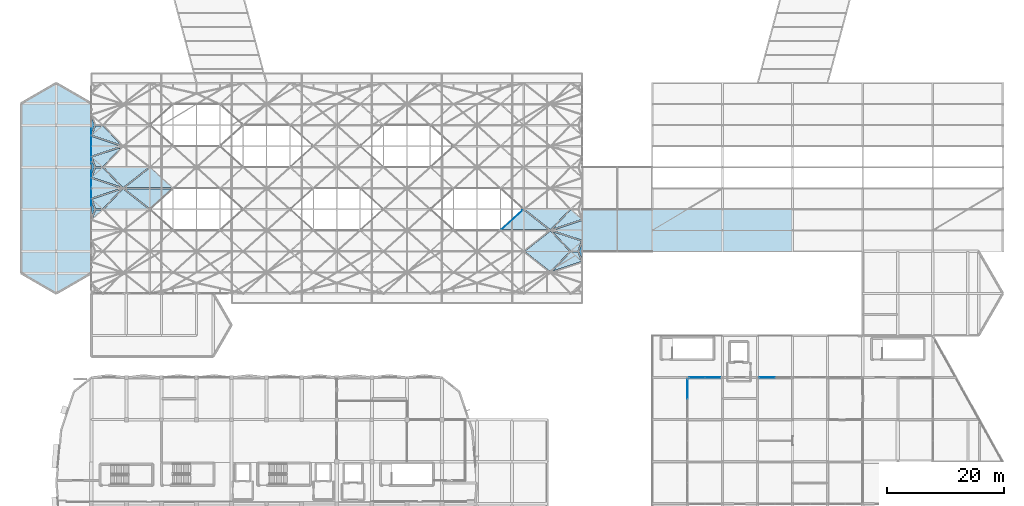
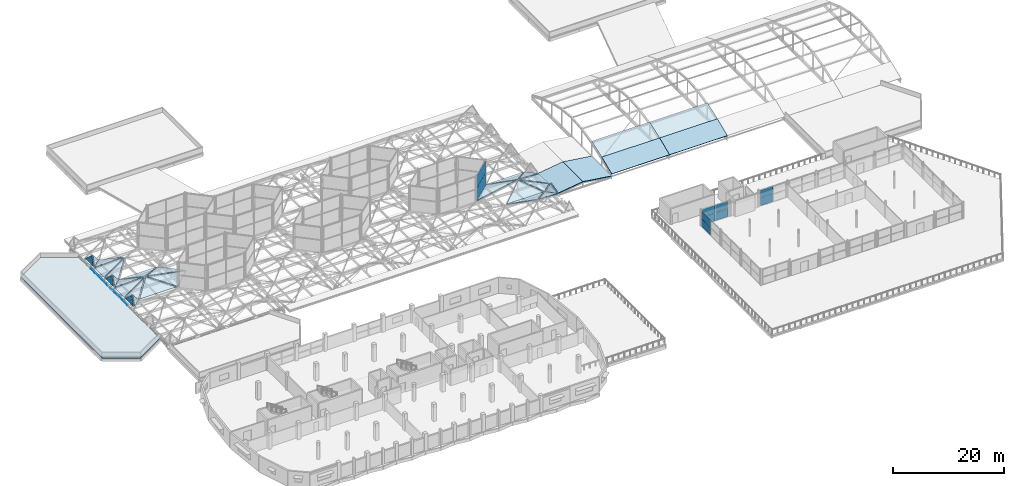
# One storey, part 212 of 239: 36 slabs, 18 plates, 6 elements without a shape of their own.
"""IFC4 building model written with IfcOpenShell, lengths in metres."""

from ifc_helpers import new_model, si_unit, direction, frame, origin, origin_2d, place, context, subcontext, project, spatial, polyline, rectangle, outline, extrude, material, layer, layer_set, type_object, element, aggregate, save


model = new_model("IFC4")

# Units and contexts
model_context = context("Model", 3, precision=1e-05, world=origin(), true_north=direction((0.0, 1.0)))
body_context = subcontext(model_context, "Body", "Model", "MODEL_VIEW")
ifc_project = project(units=[si_unit("LENGTHUNIT", "METRE"), si_unit("AREAUNIT", "SQUARE_METRE"), si_unit("VOLUMEUNIT", "CUBIC_METRE"), si_unit("PLANEANGLEUNIT", "RADIAN"), si_unit("MASSUNIT", "GRAM", prefix="KILO")], contexts=[model_context])

# Site, building, storey
site_placement = place(None, origin())
site = spatial("IfcSite", under=ifc_project, at=site_placement, CompositionType="ELEMENT")
building_placement = place(site_placement, origin())
building = spatial("IfcBuilding", under=site, at=building_placement, Name="Dunvalen Ferry Terminal", CompositionType="ELEMENT")
storey_placement = place(building_placement, frame((0.0, 0.0, 9.840087890625)))
storey = spatial("IfcBuildingStorey", under=building, at=storey_placement, Name="L02", CompositionType="ELEMENT", Elevation=9.840087890625)

# Curtain wall, plates
ifc_material_1 = material(Name="Anodised marine aluminium and solar-control glazing", Category="aluminium")
ifc_layer_1 = layer(ifc_material_1, 0.219970703125, Name="Anodised marine aluminium and solar-control glazing")
ifc_layer_set_1 = layer_set([ifc_layer_1], Name="Anodised marine aluminium and solar-control glazing")
curtain_wall_type_1 = type_object("IfcCurtainWallType", Name="ENV-CW-SYS-04", PredefinedType="NOTDEFINED", material=ifc_layer_set_1)
curtain_wall_1_placement = place(storey_placement, origin())
curtain_wall_1 = element("IfcCurtainWall", 1, at=curtain_wall_1_placement, inside=storey, type_object=curtain_wall_type_1, Name="L02 Curtain Wall CW-V1W-CLR-03", PredefinedType="NOTDEFINED")
ifc_material_2 = material(Name="Low-E solar-control laminated double glazing", Category="glass")
ifc_layer_2 = layer(ifc_material_2, 0.031982421875, Name="Low-E solar-control laminated double glazing")
ifc_layer_set_2 = layer_set([ifc_layer_2], Name="Low-E solar-control laminated double glazing")
plate_type_1 = type_object("IfcPlateType", Name="ENV-CW-PNL-2", PredefinedType="CURTAIN_PANEL", material=ifc_layer_set_2)
plate_1_placement = place(storey_placement, frame((12.0, 66.89501953125, 0.2998046875), z_axis=(0.0, 0.0, 1.0), x_axis=(0.0, 1.0, 0.0)))
plate_1 = element("IfcPlate", 2, at=plate_1_placement, type_object=plate_type_1, Name="CW-04 panel 1.1", PredefinedType="CURTAIN_PANEL", context=body_context, shape_type="SweptSolid", body=[
    extrude(rectangle(XDim=2.949951171875, YDim=0.031982421875, at=origin_2d()), origin(), (0.0, 0.0, 1.0), 0.179931640625),
])
plate_2_placement = place(storey_placement, frame((12.0, 66.89501953125, 0.5400390625), z_axis=(0.0, 0.0, 1.0), x_axis=(0.0, 1.0, 0.0)))
plate_2 = element("IfcPlate", 3, at=plate_2_placement, type_object=plate_type_1, Name="CW-04 panel 1.2", PredefinedType="CURTAIN_PANEL", context=body_context, shape_type="SweptSolid", body=[
    extrude(rectangle(XDim=2.949951171875, YDim=0.031982421875, at=origin_2d()), origin(), (0.0, 0.0, 1.0), 0.179931640625),
])
plate_3_placement = place(storey_placement, frame((12.0, 69.905029296875, 0.2998046875), z_axis=(0.0, 0.0, 1.0), x_axis=(0.0, 1.0, 0.0)))
plate_3 = element("IfcPlate", 4, at=plate_3_placement, type_object=plate_type_1, Name="CW-04 panel 2.1", PredefinedType="CURTAIN_PANEL", context=body_context, shape_type="SweptSolid", body=[
    extrude(rectangle(XDim=2.949951171875, YDim=0.031982421875, at=origin_2d()), origin(), (0.0, 0.0, 1.0), 0.179931640625),
])
plate_4_placement = place(storey_placement, frame((12.0, 69.905029296875, 0.5400390625), z_axis=(0.0, 0.0, 1.0), x_axis=(0.0, 1.0, 0.0)))
plate_4 = element("IfcPlate", 5, at=plate_4_placement, type_object=plate_type_1, Name="CW-04 panel 2.2", PredefinedType="CURTAIN_PANEL", context=body_context, shape_type="SweptSolid", body=[
    extrude(rectangle(XDim=2.949951171875, YDim=0.031982421875, at=origin_2d()), origin(), (0.0, 0.0, 1.0), 0.179931640625),
])
aggregate(curtain_wall_1, [plate_1, plate_2, plate_3, plate_4])

curtain_wall_2_placement = place(storey_placement, origin())
curtain_wall_2 = element("IfcCurtainWall", 6, at=curtain_wall_2_placement, inside=storey, type_object=curtain_wall_type_1, Name="L02 Curtain Wall CW-V1W-CLR-04", PredefinedType="NOTDEFINED")
plate_5_placement = place(storey_placement, frame((12.0, 74.094970703125, 0.2998046875), z_axis=(0.0, 0.0, 1.0), x_axis=(0.0, 1.0, 0.0)))
plate_5 = element("IfcPlate", 7, at=plate_5_placement, type_object=plate_type_1, Name="CW-04 panel 1.1", PredefinedType="CURTAIN_PANEL", context=body_context, shape_type="SweptSolid", body=[
    extrude(rectangle(XDim=2.949951171875, YDim=0.031982421875, at=origin_2d()), origin(), (0.0, 0.0, 1.0), 0.179931640625),
])
plate_6_placement = place(storey_placement, frame((12.0, 74.094970703125, 0.5400390625), z_axis=(0.0, 0.0, 1.0), x_axis=(0.0, 1.0, 0.0)))
plate_6 = element("IfcPlate", 8, at=plate_6_placement, type_object=plate_type_1, Name="CW-04 panel 1.2", PredefinedType="CURTAIN_PANEL", context=body_context, shape_type="SweptSolid", body=[
    extrude(rectangle(XDim=2.949951171875, YDim=0.031982421875, at=origin_2d()), origin(), (0.0, 0.0, 1.0), 0.179931640625),
])
plate_7_placement = place(storey_placement, frame((12.0, 77.10498046875, 0.2998046875), z_axis=(0.0, 0.0, 1.0), x_axis=(0.0, 1.0, 0.0)))
plate_7 = element("IfcPlate", 9, at=plate_7_placement, type_object=plate_type_1, Name="CW-04 panel 2.1", PredefinedType="CURTAIN_PANEL", context=body_context, shape_type="SweptSolid", body=[
    extrude(rectangle(XDim=2.949951171875, YDim=0.031982421875, at=origin_2d()), origin(), (0.0, 0.0, 1.0), 0.179931640625),
])
plate_8_placement = place(storey_placement, frame((12.0, 77.10498046875, 0.5400390625), z_axis=(0.0, 0.0, 1.0), x_axis=(0.0, 1.0, 0.0)))
plate_8 = element("IfcPlate", 10, at=plate_8_placement, type_object=plate_type_1, Name="CW-04 panel 2.2", PredefinedType="CURTAIN_PANEL", context=body_context, shape_type="SweptSolid", body=[
    extrude(rectangle(XDim=2.949951171875, YDim=0.031982421875, at=origin_2d()), origin(), (0.0, 0.0, 1.0), 0.179931640625),
])
aggregate(curtain_wall_2, [plate_5, plate_6, plate_7, plate_8])

ifc_layer_3 = layer(ifc_material_1, 0.179931640625, Name="Anodised marine aluminium and solar-control glazing")
ifc_layer_set_3 = layer_set([ifc_layer_3], Name="Anodised marine aluminium and solar-control glazing")
curtain_wall_type_2 = type_object("IfcCurtainWallType", Name="ENV-CW-SYS-05", PredefinedType="NOTDEFINED", material=ifc_layer_set_3)
curtain_wall_3_placement = place(storey_placement, origin())
curtain_wall_3 = element("IfcCurtainWall", 11, at=curtain_wall_3_placement, inside=storey, type_object=curtain_wall_type_2, Name="L02 Curtain Wall CW-HEX-36-SK-3", PredefinedType="NOTDEFINED")
ifc_layer_4 = layer(ifc_material_2, 0.0400390625, Name="Low-E solar-control laminated double glazing")
ifc_layer_set_4 = layer_set([ifc_layer_4], Name="Low-E solar-control laminated double glazing")
plate_type_2 = type_object("IfcPlateType", Name="ENV-CW-PNL-4", PredefinedType="CURTAIN_PANEL", material=ifc_layer_set_4)
plate_9_placement = place(storey_placement, frame((84.0, 63.0, 1.19970703125), z_axis=(0.0, 0.0, 1.0), x_axis=(0.74330420875, 0.668953550894, 0.0)))
plate_9 = element("IfcPlate", 12, at=plate_9_placement, type_object=plate_type_2, Name="CW-05 panel 1.1", PredefinedType="CURTAIN_PANEL", context=body_context, shape_type="SweptSolid", body=[
    extrude(rectangle(XDim=4.821533203125, YDim=0.0400390625, at=origin_2d()), origin(), (0.0, 0.0, 1.0), 2.760009765625),
])
plate_10_placement = place(storey_placement, frame((84.0, 63.0, 4.02001953125), z_axis=(0.0, 0.0, 1.0), x_axis=(0.74330420875, 0.668953550894, 0.0)))
plate_10 = element("IfcPlate", 13, at=plate_10_placement, type_object=plate_type_2, Name="CW-05 panel 1.2", PredefinedType="CURTAIN_PANEL", context=body_context, shape_type="SweptSolid", body=[
    extrude(rectangle(XDim=4.821533203125, YDim=0.0400390625, at=origin_2d()), origin(), (0.0, 0.0, 1.0), 2.760009765625),
])
aggregate(curtain_wall_3, [plate_9, plate_10])

ifc_layer_5 = layer(ifc_material_1, 0.159912109375, Name="Anodised marine aluminium and solar-control glazing")
ifc_layer_set_5 = layer_set([ifc_layer_5], Name="Anodised marine aluminium and solar-control glazing")
curtain_wall_type_3 = type_object("IfcCurtainWallType", Name="ENV-CW-SYS-09", PredefinedType="NOTDEFINED", material=ifc_layer_set_5)
curtain_wall_4_placement = place(storey_placement, origin())
curtain_wall_4 = element("IfcCurtainWall", 14, at=curtain_wall_4_placement, inside=storey, type_object=curtain_wall_type_3, Name="L02 Curtain Wall CW-PAV-N-1", PredefinedType="NOTDEFINED")
ifc_layer_6 = layer(ifc_material_2, 0.048095703125, Name="Low-E solar-control laminated double glazing")
ifc_layer_set_6 = layer_set([ifc_layer_6], Name="Low-E solar-control laminated double glazing")
plate_type_3 = type_object("IfcPlateType", Name="ENV-CW-PNL-6", PredefinedType="CURTAIN_PANEL", material=ifc_layer_set_6)
plate_11_placement = place(storey_placement, frame((115.663818359375, 36.0, 0.054931640625), z_axis=(0.0, 0.0, 1.0), x_axis=(1.0, 0.0, 0.0)))
plate_11 = element("IfcPlate", 15, at=plate_11_placement, type_object=plate_type_3, Name="CW-09 panel 1.1", PredefinedType="CURTAIN_PANEL", context=body_context, shape_type="SweptSolid", body=[
    extrude(rectangle(XDim=2.617431640625, YDim=0.048095703125, at=origin_2d()), origin(), (0.0, 0.0, 1.0), 1.6474609375),
])
plate_12_placement = place(storey_placement, frame((115.663818359375, 36.0, 1.75732421875), z_axis=(0.0, 0.0, 1.0), x_axis=(1.0, 0.0, 0.0)))
plate_12 = element("IfcPlate", 16, at=plate_12_placement, type_object=plate_type_3, Name="CW-09 panel 1.2", PredefinedType="CURTAIN_PANEL", context=body_context, shape_type="SweptSolid", body=[
    extrude(rectangle(XDim=2.617431640625, YDim=0.048095703125, at=origin_2d()), origin(), (0.0, 0.0, 1.0), 1.6474609375),
])
plate_13_placement = place(storey_placement, frame((118.336181640625, 36.0, 0.054931640625), z_axis=(0.0, 0.0, 1.0), x_axis=(1.0, 0.0, 0.0)))
plate_13 = element("IfcPlate", 17, at=plate_13_placement, type_object=plate_type_3, Name="CW-09 panel 2.1", PredefinedType="CURTAIN_PANEL", context=body_context, shape_type="SweptSolid", body=[
    extrude(rectangle(XDim=2.617431640625, YDim=0.048095703125, at=origin_2d()), origin(), (0.0, 0.0, 1.0), 1.6474609375),
])
plate_14_placement = place(storey_placement, frame((118.336181640625, 36.0, 1.75732421875), z_axis=(0.0, 0.0, 1.0), x_axis=(1.0, 0.0, 0.0)))
plate_14 = element("IfcPlate", 18, at=plate_14_placement, type_object=plate_type_3, Name="CW-09 panel 2.2", PredefinedType="CURTAIN_PANEL", context=body_context, shape_type="SweptSolid", body=[
    extrude(rectangle(XDim=2.617431640625, YDim=0.048095703125, at=origin_2d()), origin(), (0.0, 0.0, 1.0), 1.6474609375),
])
aggregate(curtain_wall_4, [plate_11, plate_12, plate_13, plate_14])

curtain_wall_5_placement = place(storey_placement, origin())
curtain_wall_5 = element("IfcCurtainWall", 19, at=curtain_wall_5_placement, inside=storey, type_object=curtain_wall_type_3, Name="L02 Curtain Wall CW-PAV-N-3", PredefinedType="NOTDEFINED")
plate_15_placement = place(storey_placement, frame((127.663818359375, 36.0, 0.054931640625), z_axis=(0.0, 0.0, 1.0), x_axis=(1.0, 0.0, 0.0)))
plate_15 = element("IfcPlate", 20, at=plate_15_placement, type_object=plate_type_3, Name="CW-09 panel 1.1", PredefinedType="CURTAIN_PANEL", context=body_context, shape_type="SweptSolid", body=[
    extrude(rectangle(XDim=2.617431640625, YDim=0.048095703125, at=origin_2d()), origin(), (0.0, 0.0, 1.0), 1.6474609375),
])
plate_16_placement = place(storey_placement, frame((127.663818359375, 36.0, 1.75732421875), z_axis=(0.0, 0.0, 1.0), x_axis=(1.0, 0.0, 0.0)))
plate_16 = element("IfcPlate", 21, at=plate_16_placement, type_object=plate_type_3, Name="CW-09 panel 1.2", PredefinedType="CURTAIN_PANEL", context=body_context, shape_type="SweptSolid", body=[
    extrude(rectangle(XDim=2.617431640625, YDim=0.048095703125, at=origin_2d()), origin(), (0.0, 0.0, 1.0), 1.6474609375),
])
aggregate(curtain_wall_5, [plate_15, plate_16])

ifc_layer_7 = layer(ifc_material_1, 0.159912109375, Name="Anodised marine aluminium and solar-control glazing")
ifc_layer_set_7 = layer_set([ifc_layer_7], Name="Anodised marine aluminium and solar-control glazing")
curtain_wall_type_4 = type_object("IfcCurtainWallType", Name="ENV-CW-SYS-10", PredefinedType="NOTDEFINED", material=ifc_layer_set_7)
curtain_wall_6_placement = place(storey_placement, origin())
curtain_wall_6 = element("IfcCurtainWall", 22, at=curtain_wall_6_placement, inside=storey, type_object=curtain_wall_type_4, Name="L02 Curtain Wall CW-PAV-W-3", PredefinedType="NOTDEFINED")
plate_17_placement = place(storey_placement, frame((114.0, 34.0361328125, 0.054931640625), z_axis=(0.0, 0.0, 1.0), x_axis=(0.0, 1.0, 0.0)))
plate_17 = element("IfcPlate", 23, at=plate_17_placement, type_object=plate_type_3, Name="CW-10 panel 2.1", PredefinedType="CURTAIN_PANEL", context=body_context, shape_type="SweptSolid", body=[
    extrude(rectangle(XDim=3.217529296875, YDim=0.048095703125, at=origin_2d()), origin(), (0.0, 0.0, 1.0), 1.6474609375),
])
plate_18_placement = place(storey_placement, frame((114.0, 34.0361328125, 1.75732421875), z_axis=(0.0, 0.0, 1.0), x_axis=(0.0, 1.0, 0.0)))
plate_18 = element("IfcPlate", 24, at=plate_18_placement, type_object=plate_type_3, Name="CW-10 panel 2.2", PredefinedType="CURTAIN_PANEL", context=body_context, shape_type="SweptSolid", body=[
    extrude(rectangle(XDim=3.217529296875, YDim=0.048095703125, at=origin_2d()), origin(), (0.0, 0.0, 1.0), 1.6474609375),
])
aggregate(curtain_wall_6, [plate_17, plate_18])

# Slabs
ifc_material_3 = material(Name="Precast concrete C40/50 - Atlantic Blue Marine Enamel", Category="concrete")
ifc_layer_8 = layer(ifc_material_3, 0.18994140625, Name="Precast concrete C40/50 - Atlantic Blue Marine Enamel")
ifc_layer_set_8 = layer_set([ifc_layer_8], Name="Precast concrete C40/50 - Atlantic Blue Marine Enamel")
slab_type_1 = type_object("IfcSlabType", Name="STR-ROOF-HEX-ATLANTIC", PredefinedType="ROOF", material=ifc_layer_set_8)
slab_1_placement = place(storey_placement, frame((12.169921875, 63.153076171875, 1.406982421875), z_axis=(0.590858891675, -0.656478676698, 0.468957905541), x_axis=(0.743278336005, 0.668982298141, 0.0)))
element("IfcSlab", 25, at=slab_1_placement, inside=storey, type_object=slab_type_1, Name="HEX-03 Sea-Roof Pyramid Facet 1", PredefinedType="ROOF", context=body_context, shape_type="SweptSolid", body=[
    extrude(outline(polyline([(0.0, 0.0), (2.3035222744793176, 1.1102230246251565e-16), (1.4546316358488256, 1.629224882080702), (0.0, 0.0)])), origin(), (0.0, 0.0, -1.0), 0.18994140625),
])
slab_2_placement = place(storey_placement, frame((13.882080078125, 64.906005859375, 1.406982421875), z_axis=(0.590858891675, 0.656478676698, 0.468957905541), x_axis=(-0.743278336005, 0.668982298141, 0.0)))
element("IfcSlab", 26, at=slab_2_placement, inside=storey, type_object=slab_type_1, Name="HEX-03 Sea-Roof Pyramid Facet 2", PredefinedType="ROOF", context=body_context, shape_type="SweptSolid", body=[
    extrude(outline(polyline([(0.0, 0.0), (2.3035222744793176, -1.1102230246251565e-16), (0.8488906386304923, 1.629224882080702), (0.0, 0.0)])), origin(), (0.0, 0.0, -1.0), 0.18994140625),
])
slab_3_placement = place(storey_placement, frame((12.0, 66.294921875, 1.406982421875), z_axis=(-0.929404827064, 0.0, 0.3690618748), x_axis=(0.0, -1.0, 0.0)))
element("IfcSlab", 27, at=slab_3_placement, inside=storey, type_object=slab_type_1, Name="HEX-03 Sea-Roof Pyramid Facet 3", PredefinedType="ROOF", context=body_context, shape_type="SweptSolid", body=[
    extrude(outline(polyline([(0.0, 0.0), (2.989990234375, 0.0), (1.494873046875, 1.5009815858795355), (0.0, 0.0)])), origin(), (0.0, 0.0, -1.0), 0.18994140625),
])
slab_4_placement = place(storey_placement, frame((12.169921875, 70.35302734375, 1.406982421875), z_axis=(0.590858891675, -0.656478676698, 0.468957905541), x_axis=(0.743278336005, 0.668982298141, 0.0)))
element("IfcSlab", 28, at=slab_4_placement, inside=storey, type_object=slab_type_1, Name="HEX-04 Sea-Roof Pyramid Facet 1", PredefinedType="ROOF", context=body_context, shape_type="SweptSolid", body=[
    extrude(outline(polyline([(0.0, 0.0), (2.3035222744793176, 1.1102230246251565e-16), (1.4546316358488256, 1.629224882080702), (0.0, 0.0)])), origin(), (0.0, 0.0, -1.0), 0.18994140625),
])
slab_5_placement = place(storey_placement, frame((13.882080078125, 72.10595703125, 1.406982421875), z_axis=(0.590858891675, 0.656478676698, 0.468957905541), x_axis=(-0.743278336005, 0.668982298141, 0.0)))
element("IfcSlab", 29, at=slab_5_placement, inside=storey, type_object=slab_type_1, Name="HEX-04 Sea-Roof Pyramid Facet 2", PredefinedType="ROOF", context=body_context, shape_type="SweptSolid", body=[
    extrude(outline(polyline([(0.0, 0.0), (2.3035222744793176, -1.1102230246251565e-16), (0.8488906386304923, 1.629224882080702), (0.0, 0.0)])), origin(), (0.0, 0.0, -1.0), 0.18994140625),
])
slab_6_placement = place(storey_placement, frame((12.0, 73.4951171875, 1.406982421875), z_axis=(-0.929404827064, 0.0, 0.3690618748), x_axis=(0.0, -1.0, 0.0)))
element("IfcSlab", 30, at=slab_6_placement, inside=storey, type_object=slab_type_1, Name="HEX-04 Sea-Roof Pyramid Facet 3", PredefinedType="ROOF", context=body_context, shape_type="SweptSolid", body=[
    extrude(outline(polyline([(0.0, 0.0), (2.990234375, 0.0), (1.4951171875, 1.5009815858795355), (0.0, 0.0)])), origin(), (0.0, 0.0, -1.0), 0.18994140625),
])
slab_7_placement = place(storey_placement, frame((12.0, 70.087890625, 1.406982421875), z_axis=(-0.295652877219, 0.0, 0.955295439219), x_axis=(0.0, -1.0, 0.0)))
element("IfcSlab", 31, at=slab_7_placement, inside=storey, type_object=slab_type_1, Name="HEX-09 Sea-Roof Pyramid Facet 1", PredefinedType="ROOF", context=body_context, shape_type="SweptSolid", body=[
    extrude(outline(polyline([(0.0, 0.0), (3.3759765625, 0.0), (1.68798828125, 5.330331127498515), (0.0, 0.0)])), origin(), (0.0, 0.0, -1.0), 0.18994140625),
])
slab_8_placement = place(storey_placement, frame((12.091064453125, 66.51806640625, 1.406982421875), z_axis=(-0.214272720285, -0.238063154245, 0.947318919864), x_axis=(0.743269490538, -0.66899212584, 0.0)))
element("IfcSlab", 32, at=slab_8_placement, inside=storey, type_object=slab_type_1, Name="HEX-09 Sea-Roof Pyramid Facet 2", PredefinedType="ROOF", context=body_context, shape_type="SweptSolid", body=[
    extrude(outline(polyline([(0.0, 0.0), (2.461871511839899, 0.0), (2.590110843148823, 4.801376729288834), (0.0, 0.0)])), origin(), (0.0, 0.0, -1.0), 0.18994140625),
])
slab_9_placement = place(storey_placement, frame((14.14599609375, 64.800048828125, 1.406982421875), z_axis=(0.0, -0.422832911751, 0.906207663144), x_axis=(1.0, 0.0, 0.0)))
element("IfcSlab", 33, at=slab_9_placement, inside=storey, type_object=slab_type_1, Name="HEX-09 Sea-Roof Pyramid Facet 3", PredefinedType="ROOF", context=body_context, shape_type="SweptSolid", body=[
    extrude(outline(polyline([(0.0, 0.0), (7.68310546875, 0.0), (3.29296875, 3.8148333881963206), (0.0, 0.0)])), origin(), (0.0, 0.0, -1.0), 0.18994140625),
])
slab_10_placement = place(storey_placement, frame((22.080078125, 64.8720703125, 1.406982421875), z_axis=(0.188105839848, -0.209002015122, 0.959653245027), x_axis=(0.743287026378, 0.668972642504, 0.0)))
element("IfcSlab", 34, at=slab_10_placement, inside=storey, type_object=slab_type_1, Name="HEX-09 Sea-Roof Pyramid Facet 4", PredefinedType="ROOF", context=body_context, shape_type="SweptSolid", body=[
    extrude(outline(polyline([(0.0, 0.0), (5.115119487088382, 4.440892098500626e-16), (-0.9404195925568297, 5.679240761704702), (0.0, 0.0)])), origin(), (0.0, 0.0, -1.0), 0.18994140625),
])
slab_11_placement = place(storey_placement, frame((25.882080078125, 68.506103515625, 1.406982421875), z_axis=(0.188105839848, 0.209002015122, 0.959653245027), x_axis=(-0.743287026378, 0.668972642504, 0.0)))
element("IfcSlab", 35, at=slab_11_placement, inside=storey, type_object=slab_type_1, Name="HEX-09 Sea-Roof Pyramid Facet 5", PredefinedType="ROOF", context=body_context, shape_type="SweptSolid", body=[
    extrude(outline(polyline([(0.0, 0.0), (5.115119487088382, -4.440892098500626e-16), (6.055539079645212, 5.679240761704701), (0.0, 0.0)])), origin(), (0.0, 0.0, -1.0), 0.18994140625),
])
slab_12_placement = place(storey_placement, frame((21.8291015625, 72.0, 1.406982421875), z_axis=(0.0, 0.422832911751, 0.906207663144), x_axis=(-1.0, 0.0, 0.0)))
element("IfcSlab", 36, at=slab_12_placement, inside=storey, type_object=slab_type_1, Name="HEX-09 Sea-Roof Pyramid Facet 6", PredefinedType="ROOF", context=body_context, shape_type="SweptSolid", body=[
    extrude(outline(polyline([(0.0, 0.0), (7.68310546875, 0.0), (4.39013671875, 3.8148333881963206), (0.0, 0.0)])), origin(), (0.0, 0.0, -1.0), 0.18994140625),
])
slab_13_placement = place(storey_placement, frame((13.9208984375, 71.928955078125, 1.406982421875), z_axis=(-0.214272720285, 0.238063154245, 0.947318919864), x_axis=(-0.743269490538, -0.66899212584, 0.0)))
element("IfcSlab", 37, at=slab_13_placement, inside=storey, type_object=slab_type_1, Name="HEX-09 Sea-Roof Pyramid Facet 7", PredefinedType="ROOF", context=body_context, shape_type="SweptSolid", body=[
    extrude(outline(polyline([(0.0, 0.0), (2.461871511839899, 0.0), (-0.1282393313089241, 4.801376729288834), (0.0, 0.0)])), origin(), (0.0, 0.0, -1.0), 0.18994140625),
])
ifc_material_4 = material(Name="Precast concrete C40/50 - Cerulean Sea Marine Enamel", Category="concrete")
ifc_layer_9 = layer(ifc_material_4, 0.179931640625, Name="Precast concrete C40/50 - Cerulean Sea Marine Enamel")
ifc_layer_set_9 = layer_set([ifc_layer_9], Name="Precast concrete C40/50 - Cerulean Sea Marine Enamel")
slab_type_2 = type_object("IfcSlabType", Name="STR-ROOF-HEX-CERULEAN", PredefinedType="ROOF", material=ifc_layer_set_9)
slab_14_placement = place(storey_placement, frame((95.908935546875, 55.882080078125, 1.39697265625), z_axis=(0.214265048984, 0.238054631209, 0.947322796804), x_axis=(-0.743269490538, 0.66899212584, 0.0)))
element("IfcSlab", 38, at=slab_14_placement, inside=storey, type_object=slab_type_2, Name="HEX-40 Sea-Roof Pyramid Facet 5", PredefinedType="ROOF", context=body_context, shape_type="SweptSolid", body=[
    extrude(outline(polyline([(0.0, 0.0), (2.461871511839899, -2.220446049250313e-16), (2.5899475149931, 4.801548632289756), (0.0, 0.0)])), origin(), (0.0, 0.0, -1.0), 0.179931640625),
])
slab_15_placement = place(storey_placement, frame((93.85400390625, 57.60009765625, 1.39697265625), z_axis=(0.0, 0.422832911751, 0.906207663144), x_axis=(-1.0, 0.0, 0.0)))
element("IfcSlab", 39, at=slab_15_placement, inside=storey, type_object=slab_type_2, Name="HEX-40 Sea-Roof Pyramid Facet 6", PredefinedType="ROOF", context=body_context, shape_type="SweptSolid", body=[
    extrude(outline(polyline([(0.0, 0.0), (7.68310546875, 0.0), (3.29296875, 3.8148333881963206), (0.0, 0.0)])), origin(), (0.0, 0.0, -1.0), 0.179931640625),
])
slab_16_placement = place(storey_placement, frame((86.1708984375, 57.60009765625, 1.39697265625), z_axis=(0.0, -0.422857435306, 0.906196220146), x_axis=(1.0, 0.0, 0.0)))
element("IfcSlab", 40, at=slab_16_placement, inside=storey, type_object=slab_type_2, Name="HEX-41 Sea-Roof Pyramid Facet 2", PredefinedType="ROOF", context=body_context, shape_type="SweptSolid", body=[
    extrude(outline(polyline([(0.0, 0.0), (7.68310546875, 0.0), (4.39013671875, 3.8146121474878703), (0.0, 0.0)])), origin(), (0.0, 0.0, -1.0), 0.179931640625),
])
slab_17_placement = place(storey_placement, frame((94.0791015625, 57.6708984375, 1.39697265625), z_axis=(0.214282195465, -0.238038395585, 0.947322998208), x_axis=(0.743220180998, 0.669046906097, 0.0)))
element("IfcSlab", 41, at=slab_17_placement, inside=storey, type_object=slab_type_2, Name="HEX-41 Sea-Roof Pyramid Facet 3", PredefinedType="ROOF", context=body_context, shape_type="SweptSolid", body=[
    extrude(outline(polyline([(0.0, 0.0), (2.4620348466828865, 2.220446049250313e-16), (-0.12774075072348445, 4.801557563065546), (0.0, 0.0)])), origin(), (0.0, 0.0, -1.0), 0.179931640625),
])
slab_18_placement = place(storey_placement, frame((96.0, 59.511962890625, 1.39697265625), z_axis=(0.295652877219, 0.0, 0.955295439219), x_axis=(0.0, 1.0, 0.0)))
element("IfcSlab", 42, at=slab_18_placement, inside=storey, type_object=slab_type_2, Name="HEX-41 Sea-Roof Pyramid Facet 4", PredefinedType="ROOF", context=body_context, shape_type="SweptSolid", body=[
    extrude(outline(polyline([(0.0, 0.0), (3.3759765625, 0.0), (1.68798828125, 5.330331127498515), (0.0, 0.0)])), origin(), (0.0, 0.0, -1.0), 0.179931640625),
])
slab_19_placement = place(storey_placement, frame((95.908935546875, 63.08203125, 1.39697265625), z_axis=(0.214272720285, 0.238063154245, 0.947318919864), x_axis=(-0.743269490538, 0.66899212584, 0.0)))
element("IfcSlab", 43, at=slab_19_placement, inside=storey, type_object=slab_type_2, Name="HEX-41 Sea-Roof Pyramid Facet 5", PredefinedType="ROOF", context=body_context, shape_type="SweptSolid", body=[
    extrude(outline(polyline([(0.0, 0.0), (2.461871511839899, 0.0), (2.590110843148823, 4.801376729288834), (0.0, 0.0)])), origin(), (0.0, 0.0, -1.0), 0.179931640625),
])
slab_20_placement = place(storey_placement, frame((93.85400390625, 64.800048828125, 1.39697265625), z_axis=(0.0, 0.422832911751, 0.906207663144), x_axis=(-1.0, 0.0, 0.0)))
element("IfcSlab", 44, at=slab_20_placement, inside=storey, type_object=slab_type_2, Name="HEX-41 Sea-Roof Pyramid Facet 6", PredefinedType="ROOF", context=body_context, shape_type="SweptSolid", body=[
    extrude(outline(polyline([(0.0, 0.0), (7.68310546875, 0.0), (3.29296875, 3.8148333881963206), (0.0, 0.0)])), origin(), (0.0, 0.0, -1.0), 0.179931640625),
])
slab_21_placement = place(storey_placement, frame((85.919921875, 64.72802734375, 1.39697265625), z_axis=(-0.188106426033, 0.208987755769, 0.959656235547), x_axis=(-0.743263293857, -0.668999010466, 0.0)))
element("IfcSlab", 45, at=slab_21_placement, inside=storey, type_object=slab_type_2, Name="HEX-41 Sea-Roof Pyramid Facet 7", PredefinedType="ROOF", context=body_context, shape_type="SweptSolid", body=[
    extrude(outline(polyline([(0.0, 0.0), (5.115282813706228, -4.440892098500626e-16), (-0.9400629177404323, 5.67944691384375), (0.0, 0.0)])), origin(), (0.0, 0.0, -1.0), 0.179931640625),
])
slab_22_placement = place(storey_placement, frame((95.830078125, 59.2470703125, 1.39697265625), z_axis=(-0.590858891675, 0.656478676698, 0.468957905541), x_axis=(-0.743278336005, -0.668982298141, 0.0)))
element("IfcSlab", 46, at=slab_22_placement, inside=storey, type_object=slab_type_2, Name="HEX-46 Sea-Roof Pyramid Facet 1", PredefinedType="ROOF", context=body_context, shape_type="SweptSolid", body=[
    extrude(outline(polyline([(0.0, 0.0), (2.3035222744793176, 1.1102230246251565e-16), (1.4546316358488256, 1.629224882080702), (0.0, 0.0)])), origin(), (0.0, 0.0, -1.0), 0.179931640625),
])
slab_23_placement = place(storey_placement, frame((94.117919921875, 57.493896484375, 1.39697265625), z_axis=(-0.590858891675, -0.656478676698, 0.468957905541), x_axis=(0.743278336005, -0.668982298141, 0.0)))
element("IfcSlab", 47, at=slab_23_placement, inside=storey, type_object=slab_type_2, Name="HEX-46 Sea-Roof Pyramid Facet 2", PredefinedType="ROOF", context=body_context, shape_type="SweptSolid", body=[
    extrude(outline(polyline([(0.0, 0.0), (2.3035222744793176, -1.1102230246251565e-16), (0.8488906386304923, 1.629224882080702), (0.0, 0.0)])), origin(), (0.0, 0.0, -1.0), 0.179931640625),
])
slab_24_placement = place(storey_placement, frame((96.0, 56.10498046875, 1.39697265625), z_axis=(0.929404827064, 0.0, 0.3690618748), x_axis=(0.0, 1.0, 0.0)))
element("IfcSlab", 48, at=slab_24_placement, inside=storey, type_object=slab_type_2, Name="HEX-46 Sea-Roof Pyramid Facet 3", PredefinedType="ROOF", context=body_context, shape_type="SweptSolid", body=[
    extrude(outline(polyline([(0.0, 0.0), (2.989990234375, 0.0), (1.4951171875, 1.5009815858795355), (0.0, 0.0)])), origin(), (0.0, 0.0, -1.0), 0.179931640625),
])
ifc_material_5 = material(Name="Precast concrete C40/50 - Deep Navy Marine Enamel", Category="concrete")
ifc_layer_10 = layer(ifc_material_5, 0.2099609375, Name="Precast concrete C40/50 - Deep Navy Marine Enamel")
ifc_layer_set_10 = layer_set([ifc_layer_10], Name="Precast concrete C40/50 - Deep Navy Marine Enamel")
slab_type_3 = type_object("IfcSlabType", Name="STR-ROOF-HEX-NAVY", PredefinedType="ROOF", material=ifc_layer_set_10)
slab_25_placement = place(storey_placement, frame((12.169921875, 77.552978515625, 1.427001953125), z_axis=(0.590858891675, -0.656478676698, 0.468957905541), x_axis=(0.743278336005, 0.668982298141, 0.0)))
element("IfcSlab", 49, at=slab_25_placement, inside=storey, type_object=slab_type_3, Name="HEX-05 Sea-Roof Pyramid Facet 1", PredefinedType="ROOF", context=body_context, shape_type="SweptSolid", body=[
    extrude(outline(polyline([(0.0, 0.0), (2.3035222744793176, 1.1102230246251565e-16), (1.4546316358488256, 1.629224882080702), (0.0, 0.0)])), origin(), (0.0, 0.0, -1.0), 0.2099609375),
])
slab_26_placement = place(storey_placement, frame((12.0, 80.695068359375, 1.427001953125), z_axis=(-0.929404827064, 0.0, 0.3690618748), x_axis=(0.0, -1.0, 0.0)))
element("IfcSlab", 50, at=slab_26_placement, inside=storey, type_object=slab_type_3, Name="HEX-05 Sea-Roof Pyramid Facet 3", PredefinedType="ROOF", context=body_context, shape_type="SweptSolid", body=[
    extrude(outline(polyline([(0.0, 0.0), (2.989990234375, 0.0), (1.4951171875, 1.5009815858795355), (0.0, 0.0)])), origin(), (0.0, 0.0, -1.0), 0.2099609375),
])
slab_27_placement = place(storey_placement, frame((12.0, 77.2880859375, 1.427001953125), z_axis=(-0.295652877219, 0.0, 0.955295439219), x_axis=(0.0, -1.0, 0.0)))
element("IfcSlab", 51, at=slab_27_placement, inside=storey, type_object=slab_type_3, Name="HEX-10 Sea-Roof Pyramid Facet 1", PredefinedType="ROOF", context=body_context, shape_type="SweptSolid", body=[
    extrude(outline(polyline([(0.0, 0.0), (3.3759765625, 0.0), (1.68798828125, 5.330331127498515), (0.0, 0.0)])), origin(), (0.0, 0.0, -1.0), 0.2099609375),
])
slab_28_placement = place(storey_placement, frame((12.091064453125, 73.718017578125, 1.427001953125), z_axis=(-0.214272720285, -0.238063154245, 0.947318919864), x_axis=(0.743269490538, -0.66899212584, 0.0)))
element("IfcSlab", 52, at=slab_28_placement, inside=storey, type_object=slab_type_3, Name="HEX-10 Sea-Roof Pyramid Facet 2", PredefinedType="ROOF", context=body_context, shape_type="SweptSolid", body=[
    extrude(outline(polyline([(0.0, 0.0), (2.461871511839899, 0.0), (2.590110843148823, 4.801376729288834), (0.0, 0.0)])), origin(), (0.0, 0.0, -1.0), 0.2099609375),
])
slab_29_placement = place(storey_placement, frame((13.9208984375, 79.12890625, 1.427001953125), z_axis=(-0.214272720285, 0.238063154245, 0.947318919864), x_axis=(-0.743269490538, -0.66899212584, 0.0)))
element("IfcSlab", 53, at=slab_29_placement, inside=storey, type_object=slab_type_3, Name="HEX-10 Sea-Roof Pyramid Facet 7", PredefinedType="ROOF", context=body_context, shape_type="SweptSolid", body=[
    extrude(outline(polyline([(0.0, 0.0), (2.461871511839899, 0.0), (-0.1282393313089241, 4.801376729288834), (0.0, 0.0)])), origin(), (0.0, 0.0, -1.0), 0.2099609375),
])
ifc_material_6 = material(Name="Precast concrete C40/50", Category="concrete")
ifc_layer_11 = layer(ifc_material_6, 0.14990234375, Name="Precast concrete C40/50")
ifc_layer_set_11 = layer_set([ifc_layer_11], Name="Precast concrete C40/50")
slab_type_4 = type_object("IfcSlabType", Name="STR-ROOF-VAULT", PredefinedType="ROOF", material=ifc_layer_set_11)
slab_30_placement = place(storey_placement, frame((108.0, 57.60009765625, 0.375), z_axis=(0.0, -0.391266189299, 0.920277550042), x_axis=(1.0, 0.0, 0.0)))
element("IfcSlab", 54, at=slab_30_placement, inside=storey, type_object=slab_type_4, Name="Arrivals Hall Barrel-Vault Roof Facet 1.1", PredefinedType="ROOF", context=body_context, shape_type="SweptSolid", body=[
    extrude(outline(polyline([(0.0, 0.0), (12.0, 0.0), (12.0, 3.9117041543178197), (0.0, 3.9117041543178197), (0.0, 0.0)])), origin(), (0.0, 0.0, -1.0), 0.14990234375),
])
slab_31_placement = place(storey_placement, frame((108.0, 61.199951171875, 1.905517578125), z_axis=(0.0, -0.33913962072, 0.940736051004), x_axis=(1.0, 0.0, 0.0)))
element("IfcSlab", 55, at=slab_31_placement, inside=storey, type_object=slab_type_4, Name="Arrivals Hall Barrel-Vault Roof Facet 1.2", PredefinedType="ROOF", context=body_context, shape_type="SweptSolid", body=[
    extrude(outline(polyline([(0.0, 0.0), (12.0, 0.0), (12.0, 3.826894539025139), (0.0, 3.826894539025139), (0.0, 0.0)])), origin(), (0.0, 0.0, -1.0), 0.14990234375),
])
slab_32_placement = place(storey_placement, frame((120.0, 57.60009765625, 0.375), z_axis=(0.0, -0.391266189299, 0.920277550042), x_axis=(1.0, 0.0, 0.0)))
element("IfcSlab", 56, at=slab_32_placement, inside=storey, type_object=slab_type_4, Name="Arrivals Hall Barrel-Vault Roof Facet 2.1", PredefinedType="ROOF", context=body_context, shape_type="SweptSolid", body=[
    extrude(outline(polyline([(0.0, 0.0), (12.0, 0.0), (12.0, 3.9117041543178197), (0.0, 3.9117041543178197), (0.0, 0.0)])), origin(), (0.0, 0.0, -1.0), 0.14990234375),
])
slab_33_placement = place(storey_placement, frame((120.0, 61.199951171875, 1.905517578125), z_axis=(0.0, -0.33913962072, 0.940736051004), x_axis=(1.0, 0.0, 0.0)))
element("IfcSlab", 57, at=slab_33_placement, inside=storey, type_object=slab_type_4, Name="Arrivals Hall Barrel-Vault Roof Facet 2.2", PredefinedType="ROOF", context=body_context, shape_type="SweptSolid", body=[
    extrude(outline(polyline([(0.0, 0.0), (12.0, 0.0), (12.0, 3.826894539025139), (0.0, 3.826894539025139), (0.0, 0.0)])), origin(), (0.0, 0.0, -1.0), 0.14990234375),
])
for number, where, z_axis, x_axis, name in (
    (58, (96.0, 57.60009765625, -0.070068359375), (-0.141861184452, 0.0, 0.989886561352), (0.989886561352, 0.0, 0.141861184452), "Central Covered Passage West Canopy Roof 1"),
    (59, (102.0, 57.60009765625, 0.789794921875), (0.141861184452, 0.0, 0.989886561352), (0.989886561352, 0.0, -0.141861184452), "Central Covered Passage East Canopy Roof 1"),
):
    element("IfcSlab", number, at=place(storey_placement, frame(where, z_axis=z_axis, x_axis=x_axis)), inside=storey, type_object=slab_type_4, Name=name, PredefinedType="ROOF", context=body_context, shape_type="SweptSolid", body=[
        extrude(outline(polyline([(0.0, 0.0), (6.061300591658692, 0.0), (6.061300591658692, 7.199951171875), (0.0, 7.199951171875), (0.0, 0.0)])), origin(), (0.0, 0.0, -1.0), 0.14990234375),
    ])
ifc_material_7 = material(Name="Concrete C40/50", Category="concrete")
ifc_layer_12 = layer(ifc_material_7, 0.239990234375, Name="Concrete C40/50")
ifc_layer_set_12 = layer_set([ifc_layer_12], Name="Concrete C40/50")
slab_type_5 = type_object("IfcSlabType", Name="STR-SLB-RF240", PredefinedType="ROOF", material=ifc_layer_set_12)
slab_34_placement = place(storey_placement, origin())
element("IfcSlab", 60, at=slab_34_placement, inside=storey, type_object=slab_type_5, Name="L02 West Baggage Annex Roof Slab", PredefinedType="ROOF", context=body_context, shape_type="SweptSolid", body=[
    extrude(outline(polyline([(6.0, 50.39990234375), (12.0, 53.864013671875), (12.0, 82.935791015625), (6.0, 86.39990234375), (0.0, 82.935791015625), (0.0, 53.864013671875), (6.0, 50.39990234375)])), origin(), (0.0, 0.0, 1.0), 0.239990234375),
])

save(model, "model.ifc")
